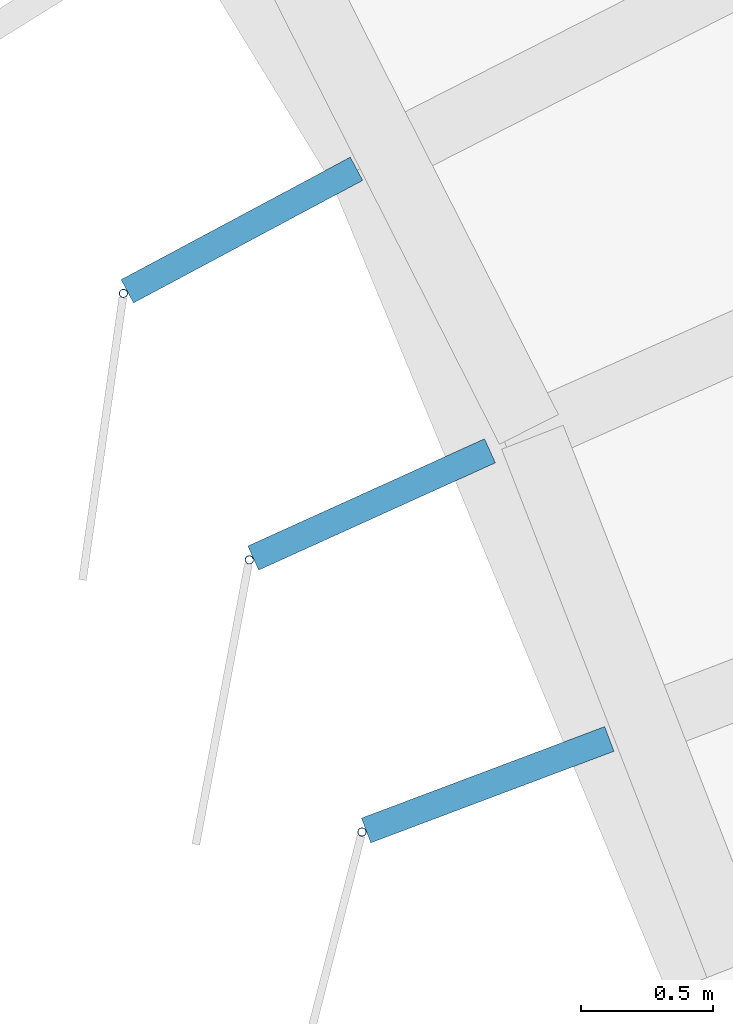
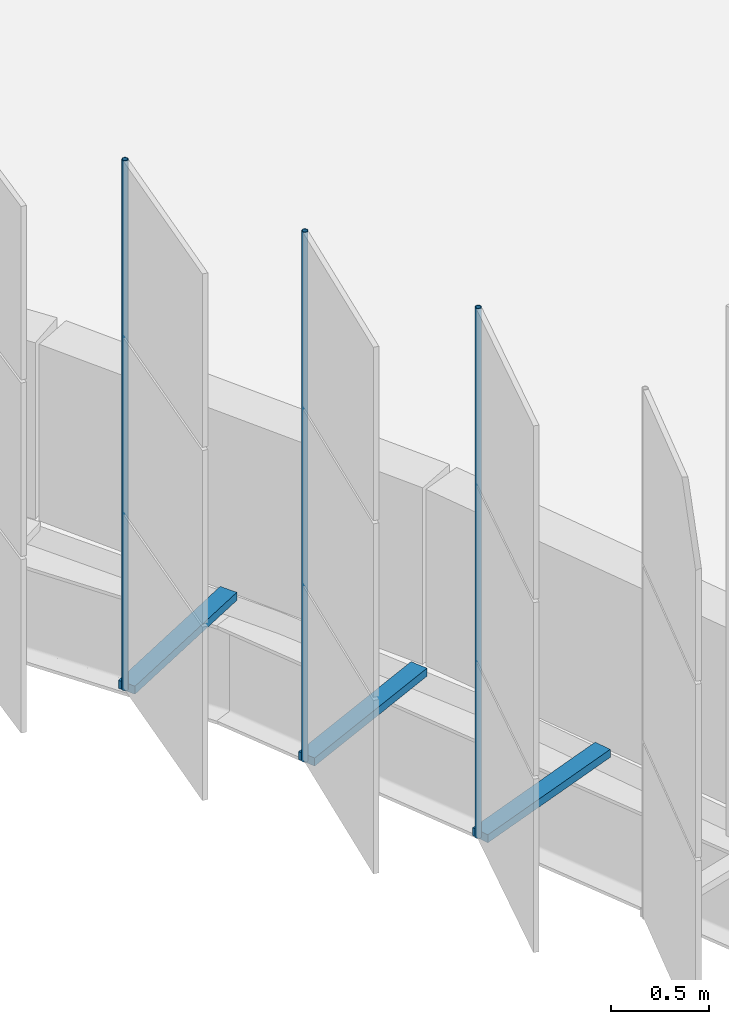
# One storey, part 130 of 214: 6 discrete accessories.
"""IFC4 building model written with IfcOpenShell, lengths in metres."""

from ifc_helpers import new_model, si_unit, direction, frame, origin, origin_2d, place, context, subcontext, project, spatial, rectangle, hollow_circle, extrude, material, material_profile, profile_set, type_object, element, save


model = new_model("IFC4")

# Units and contexts
model_context = context("Model", 3, precision=1e-05, world=origin(), true_north=direction((0.0, 1.0)))
body_context = subcontext(model_context, "Body", "Model", "MODEL_VIEW")
ifc_project = project(units=[si_unit("LENGTHUNIT", "METRE"), si_unit("AREAUNIT", "SQUARE_METRE"), si_unit("VOLUMEUNIT", "CUBIC_METRE"), si_unit("PLANEANGLEUNIT", "RADIAN"), si_unit("MASSUNIT", "GRAM", prefix="KILO")], contexts=[model_context])

# Site, building, storey
site_placement = place(None, origin())
site = spatial("IfcSite", under=ifc_project, at=site_placement, CompositionType="ELEMENT")
building_placement = place(site_placement, origin())
building = spatial("IfcBuilding", under=site, at=building_placement, Name="Parallax Yard Mobility Hub", CompositionType="ELEMENT")
storey_placement = place(building_placement, frame((0.0, 0.0, 3.300048828125)))
storey = spatial("IfcBuildingStorey", under=building, at=storey_placement, Name="L01", CompositionType="ELEMENT", Elevation=3.300048828125)

# Discrete accessories
ifc_material_1 = material(Name="Steel ASTM A36, hot-dip galvanised", Category="steel")
discrete_accessory_type_1 = type_object("IfcDiscreteAccessoryType", Name="Hinge bracket plate 100x50", PredefinedType="BRACKET", material=ifc_material_1)
for number, where, z_axis, x_axis, name in (
    (1, (192.1044921875, 99.98486328125, -0.02490234375), (0.0, 0.0, 1.0), (-0.881921264348, -0.471396736826, 0.0), "Hinge bracket plate bay 21.4 level L01"),
    (2, (192.595703125, 98.94580078125, -0.02490234375), (0.0, 0.0, 1.0), (-0.910863824921, -0.412707029804, 0.0), "Hinge bracket plate bay 21.5 level L01"),
    (3, (193.035400390625, 97.884521484375, -0.02490234375), (0.0, 0.0, 1.0), (-0.935905926757, -0.352250047921, 0.0), "Hinge bracket plate bay 21.6 level L01"),
):
    element("IfcDiscreteAccessory", number, at=place(storey_placement, frame(where, z_axis=z_axis, x_axis=x_axis)), inside=storey, type_object=discrete_accessory_type_1, Name=name, PredefinedType="BRACKET", context=body_context, shape_type="SweptSolid", body=[
        extrude(rectangle(XDim=0.984130859375, YDim=0.10009765625, at=origin_2d()), origin(), (0.0, 0.0, 1.0), 0.050048828125),
    ])
ifc_material_2 = material(Name="Steel ASTM A500 Gr C, hot-dip galvanised", Category="steel")
ifc_material_profile = material_profile(ifc_material_2, hollow_circle(Radius=0.016845703125, WallThickness=0.003173828125, at=origin_2d()), Name="CHS 33.7x3.2")
ifc_profile_set = profile_set([ifc_material_profile], Name="Steel ASTM A500 Gr C, hot-dip galvanised")
discrete_accessory_type_2 = type_object("IfcDiscreteAccessoryType", Name="Hinge post CHS 33.7x3.2", PredefinedType="BRACKET", material=ifc_profile_set)
for number, where, z_axis, x_axis, name in (
    (4, (191.656005859375, 99.7451171875, 0.0), (0.0, 0.0, 1.0), (1.0, 0.0, 0.0), "Hinge post bay 21.4 level L01"),
    (5, (192.132568359375, 98.736083984375, 0.0), (0.0, 0.0, 1.0), (1.0, 0.0, 0.0), "Hinge post bay 21.5 level L01"),
    (6, (192.559326171875, 97.705322265625, 0.0), (0.0, 0.0, 1.0), (1.0, 0.0, 0.0), "Hinge post bay 21.6 level L01"),
):
    element("IfcDiscreteAccessory", number, at=place(storey_placement, frame(where, z_axis=z_axis, x_axis=x_axis)), inside=storey, type_object=discrete_accessory_type_2, Name=name, PredefinedType="BRACKET", context=body_context, shape_type="SweptSolid", body=[
        extrude(hollow_circle(Radius=0.016845703125, WallThickness=0.003173828125, at=origin_2d()), origin(), (0.0, 0.0, 1.0), 3.300048828125),
    ])

save(model, "model.ifc")
